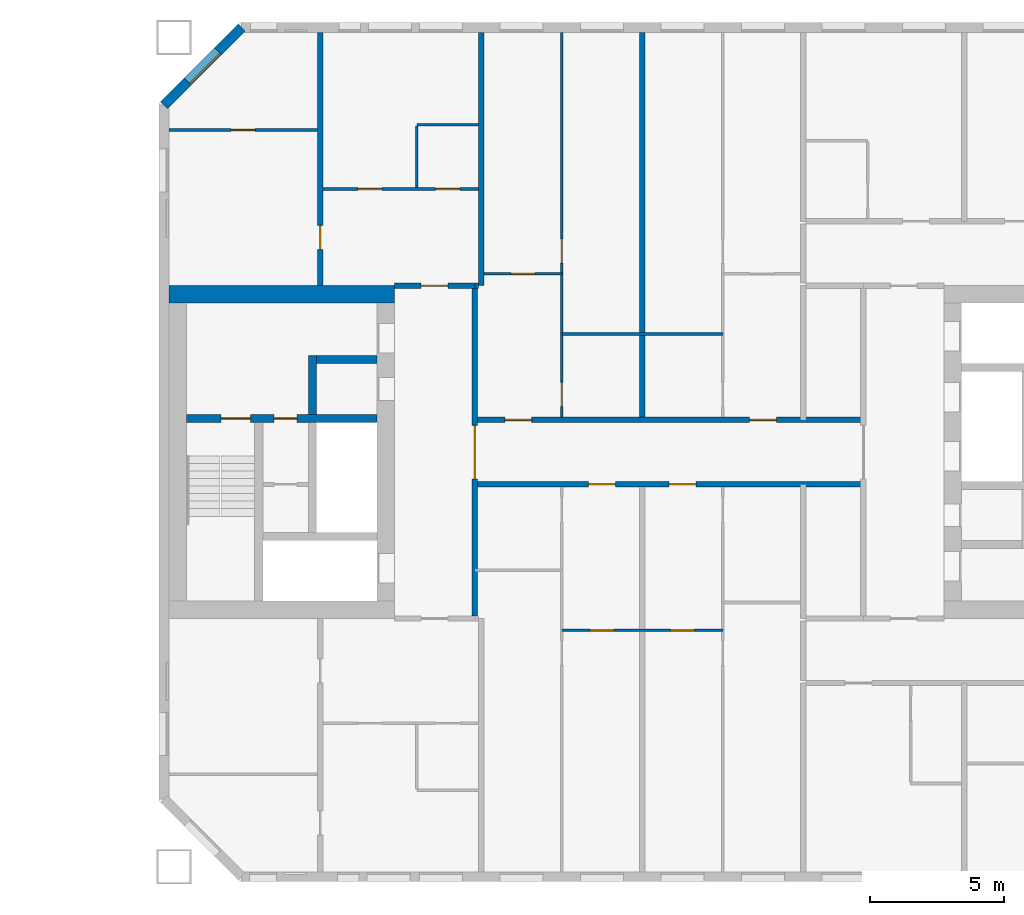
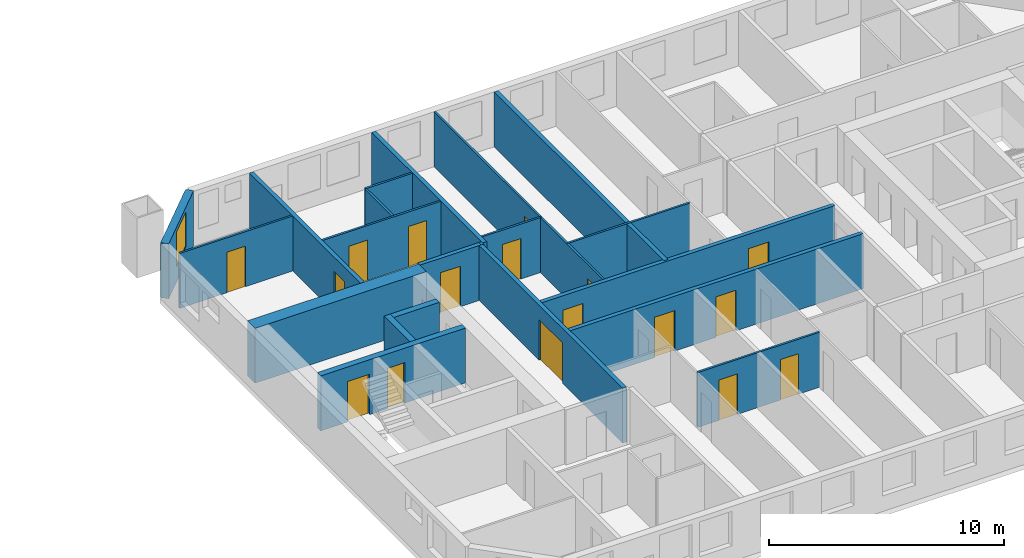
# One storey, part 11 of 17: 21 walls, 17 doors, 1 window, 18 openings.
"""IFC4 building model written with IfcOpenShell, lengths in metres."""

import ifcopenshell
import ifcopenshell.guid

model = None  # the IFC model being written
_history = None  # IfcOwnerHistory: only IFC2X3 demands one
_inside = {}  # id of a spatial element -> (the spatial element, [elements in it])
_under = {}  # id of a project, library or spatial element -> (it, [spatial elements below it])
_declared = {}  # id of a project -> (the project, [libraries it declares])
_typed = {}  # id of a type object -> (the type object, [elements of that type])
_made_of = {}  # id of a material, layer set ... -> (it, [elements and type objects made of it])


def new_model(schema):
    """Start an empty IFC model of exactly this schema.

    Asked for "IFC4X3", IfcOpenShell would pick the latest addendum, in which some entities
    have other attributes; the version numbers below select the first issue.
    IFC2X3 requires an IfcOwnerHistory on every rooted entity: one is made here for all.
    """
    global model, _history
    if schema == "IFC4X3":
        model = ifcopenshell.file(schema_version=(4, 3, 0, 0))
    else:
        model = ifcopenshell.file(schema=schema)
    _inside.clear()
    _under.clear()
    _declared.clear()
    _typed.clear()
    _made_of.clear()
    _history = None
    if model.schema == "IFC2X3":
        org = make("IfcOrganization", Name="unknown")
        user = make(
            "IfcPersonAndOrganization",
            ThePerson=make("IfcPerson", FamilyName="unknown"),
            TheOrganization=org,
        )
        app = make(
            "IfcApplication",
            ApplicationDeveloper=org,
            Version="unknown",
            ApplicationFullName="unknown",
            ApplicationIdentifier="unknown",
        )
        _history = make(
            "IfcOwnerHistory",
            OwningUser=user,
            OwningApplication=app,
            ChangeAction="ADDED",
            CreationDate=0,
        )
    return model


def make(cls, **values):
    """One entity of the class cls with the attributes given. An attribute that is None is left unset."""
    return model.create_entity(
        cls, **{name: value for name, value in values.items() if value is not None}
    )


def rooted(cls, **values):
    """An entity with a GlobalId (a new one), such as an element, a storey or a relation."""
    return make(cls, GlobalId=ifcopenshell.guid.new(), OwnerHistory=_history, **values)


def si_unit(unit_type, name, prefix=None):
    """IfcSIUnit, for example si_unit("LENGTHUNIT", "METRE", prefix="MILLI")."""
    return make("IfcSIUnit", UnitType=unit_type, Prefix=prefix, Name=name)


def assignment(units):
    """IfcUnitAssignment: the units of a project."""
    return None if units is None else make("IfcUnitAssignment", Units=units)


def point(xyz):
    """IfcCartesianPoint."""
    return None if xyz is None else make("IfcCartesianPoint", Coordinates=xyz)


def direction(xyz):
    """IfcDirection."""
    return None if xyz is None else make("IfcDirection", DirectionRatios=xyz)


def frame(location, z_axis=None, x_axis=None):
    """IfcAxis2Placement3D, a coordinate frame: its origin and axes. An axis left out is left unset."""
    return make(
        "IfcAxis2Placement3D",
        Location=point(location),
        Axis=direction(z_axis),
        RefDirection=direction(x_axis),
    )


def frame_2d(location, x_axis=None):
    """IfcAxis2Placement2D, a coordinate frame in the plane: its origin and x axis."""
    return make(
        "IfcAxis2Placement2D", Location=point(location), RefDirection=direction(x_axis)
    )


def origin():
    """The frame at (0, 0, 0) with its axes left unset."""
    return frame((0.0, 0.0, 0.0))


def place(relative_to, where):
    """IfcLocalPlacement: puts the frame where relative to a parent placement (None: the world)."""
    return make(
        "IfcLocalPlacement", PlacementRelTo=relative_to, RelativePlacement=where
    )


def context(
    kind, dimensions, precision=None, world=None, true_north=None, identifier=None
):
    """IfcGeometricRepresentationContext, for example the 3D "Model" context."""
    return make(
        "IfcGeometricRepresentationContext",
        ContextIdentifier=identifier,
        ContextType=kind,
        CoordinateSpaceDimension=dimensions,
        Precision=precision,
        WorldCoordinateSystem=world,
        TrueNorth=true_north,
    )


def subcontext(parent, identifier, kind, view, scale=None):
    """IfcGeometricRepresentationSubContext, for example "Body" below "Model"."""
    return make(
        "IfcGeometricRepresentationSubContext",
        ContextIdentifier=identifier,
        ContextType=kind,
        ParentContext=parent,
        TargetScale=scale,
        TargetView=view,
    )


def project(units=None, contexts=None):
    """IfcProject with its units and contexts."""
    return rooted(
        "IfcProject",
        Name="project",
        RepresentationContexts=contexts,
        UnitsInContext=assignment(units),
    )


def spatial(cls, under=None, at=None, **own):
    """A site, building, storey or space (cls), placed at a placement, below another one or the project."""
    s = rooted(cls, ObjectPlacement=at, **own)
    if under is not None:
        _under.setdefault(under.id(), (under, []))[1].append(s)
    return s


def profile(cls, at=None, kind="AREA", **sizes):
    """A parametric profile (cls). Its sizes go by their IFC names, for example OverallWidth=200.0."""
    return make(cls, ProfileType=kind, Position=at, **sizes)


def rectangle(**sizes):
    """IfcRectangleProfileDef."""
    return profile("IfcRectangleProfileDef", **sizes)


def extrude(swept, where, along, depth):
    """IfcExtrudedAreaSolid: the profile swept, set in the frame where, extruded along a direction by depth."""
    return make(
        "IfcExtrudedAreaSolid",
        SweptArea=swept,
        Position=where,
        ExtrudedDirection=direction(along),
        Depth=depth,
    )


def shape(context_of_items, identifier, shape_type, items):
    """IfcShapeRepresentation: the items that make up one representation, for example the "Body"."""
    return make(
        "IfcShapeRepresentation",
        ContextOfItems=context_of_items,
        RepresentationIdentifier=identifier,
        RepresentationType=shape_type,
        Items=items,
    )


def material(Name=None, Category=None):
    """IfcMaterial."""
    return make("IfcMaterial", Name=Name, Category=Category)


def layer(
    of_material, thickness, ventilated=None, Name=None, Category=None, Priority=None
):
    """IfcMaterialLayer: one layer of a wall or slab, of a material (None: an air gap)."""
    return make(
        "IfcMaterialLayer",
        Material=of_material,
        LayerThickness=thickness,
        IsVentilated=ventilated,
        Name=Name,
        Category=Category,
        Priority=Priority,
    )


def layer_set(layers, Name=None):
    """IfcMaterialLayerSet."""
    return make("IfcMaterialLayerSet", MaterialLayers=layers, LayerSetName=Name)


def made_of(thing, what):
    """Note that an element or type object is made of a material, layer set ...; save() writes the relation."""
    if what is not None:
        _made_of.setdefault(what.id(), (what, []))[1].append(thing)
    return thing


def type_object(cls, material=None, **own):
    """A type object (cls), such as IfcWallType, which elements share."""
    return made_of(rooted(cls, **own), material)


def element(
    cls,
    number,
    at=None,
    inside=None,
    cuts=None,
    type_object=None,
    material=None,
    context=None,
    identifier="Body",
    shape_type=None,
    held_by="IfcProductDefinitionShape",
    body=None,
    shapes=None,
    **own,
):
    """One element of the class cls, such as IfcWall. Its Tag is "e" and its number.

    at: its placement. inside: the storey or other place that contains it. cuts: it is an
    opening in that element (IfcRelVoidsElement). A single representation is given by context,
    identifier, shape_type and body (its items); several are given by shapes. held_by: the class
    of the entity that holds the representations. save() writes the other relations.
    """
    e = rooted(cls, Tag="e%d" % number, ObjectPlacement=at, **own)
    if body is not None:
        shapes = [shape(context, identifier, shape_type, body)]
    if shapes is not None:
        e.Representation = make(held_by, Representations=shapes)
    if inside is not None:
        _inside.setdefault(inside.id(), (inside, []))[1].append(e)
    if cuts is not None:
        rooted(
            "IfcRelVoidsElement", RelatingBuildingElement=cuts, RelatedOpeningElement=e
        )
    if type_object is not None:
        _typed.setdefault(type_object.id(), (type_object, []))[1].append(e)
    return made_of(e, material)


def fill(opening, filler):
    """IfcRelFillsElement: the door or window that sits in an opening."""
    return rooted(
        "IfcRelFillsElement",
        RelatingOpeningElement=opening,
        RelatedBuildingElement=filler,
    )


def aggregate(whole, parts):
    """IfcRelAggregates: a whole, such as a stair, and the parts it consists of."""
    return rooted("IfcRelAggregates", RelatingObject=whole, RelatedObjects=parts)


def save(model, path):
    """Write the relations noted so far, then the file.

    IfcRelAggregates (storeys below a building ...), IfcRelContainedInSpatialStructure (elements
    in a storey), IfcRelDefinesByType, IfcRelAssociatesMaterial and IfcRelDeclares: one each for
    every whole, place, type object, material and project.
    """
    for whole, parts in _under.values():
        aggregate(whole, parts)
    for where, things in _inside.values():
        rooted(
            "IfcRelContainedInSpatialStructure",
            RelatedElements=things,
            RelatingStructure=where,
        )
    for kind, things in _typed.values():
        rooted("IfcRelDefinesByType", RelatedObjects=things, RelatingType=kind)
    for what, things in _made_of.values():
        rooted("IfcRelAssociatesMaterial", RelatedObjects=things, RelatingMaterial=what)
    for by, libraries in _declared.values():
        rooted("IfcRelDeclares", RelatingContext=by, RelatedDefinitions=libraries)
    model.write(path)


model = new_model("IFC4")

# Units and contexts
model_context = context("Model", 3, precision=1e-05, world=origin(), true_north=direction((0.0, 1.0)))
body_context = subcontext(model_context, "Body", "Model", "MODEL_VIEW")
ifc_project = project(units=[si_unit("LENGTHUNIT", "METRE"), si_unit("AREAUNIT", "SQUARE_METRE"), si_unit("VOLUMEUNIT", "CUBIC_METRE"), si_unit("PLANEANGLEUNIT", "RADIAN"), si_unit("MASSUNIT", "GRAM", prefix="KILO")], contexts=[model_context])

# Site, building, storey
site_placement = place(None, origin())
site = spatial("IfcSite", under=ifc_project, at=site_placement, CompositionType="ELEMENT")
building_placement = place(site_placement, origin())
building = spatial("IfcBuilding", under=site, at=building_placement, Name="Tuart Gate Housing", CompositionType="ELEMENT")
storey_placement = place(building_placement, frame((0.0, 0.0, 99.5)))
storey = spatial("IfcBuildingStorey", under=building, at=storey_placement, Name="L27", CompositionType="ELEMENT", Elevation=99.5)

# Wall, opening, window
ifc_material_1 = material(Name="Brick", Category="masonry")
ifc_layer_1 = layer(ifc_material_1, 0.360107421875)
ifc_layer_set_1 = layer_set([ifc_layer_1], Name="Brick pier and spandrel wall 360")
wall_type_1 = type_object("IfcWallType", Name="Brick pier and spandrel wall 360", PredefinedType="STANDARD", material=ifc_layer_set_1)
wall_1_placement = place(storey_placement, frame((134.07470703125, 85.820068359375, 0.0), z_axis=(0.0, 0.0, 1.0), x_axis=(-0.707106781187, -0.707106781187, 0.0)))
wall_1 = element("IfcWall", 1, at=wall_1_placement, inside=storey, type_object=wall_type_1, Name="External wall B-NW L27", PredefinedType="STANDARD", context=body_context, shape_type="SweptSolid", body=[
    extrude(rectangle(XDim=4.09375, YDim=0.360107421875, at=frame_2d((2.046875, 0.0))), origin(), (0.0, 0.0, 1.0), 2.85009765625),
])
opening_1_placement = place(wall_1_placement, frame((1.2470703125, 0.0, 0.800048828125)))
opening_1 = element("IfcOpeningElement", 2, at=opening_1_placement, cuts=wall_1, Name="Opening W1", PredefinedType="OPENING", context=body_context, shape_type="SweptSolid", body=[
    extrude(rectangle(XDim=1.60009765625, YDim=1.800048828125, at=frame_2d((0.800048828125, 0.89990234375))), frame((0.0, 0.18994140625, 0.0), z_axis=(0.0, -1.0, 0.0), x_axis=(1.0, 0.0, 0.0)), (0.0, 0.0, 1.0), 0.380126953125),
])
ifc_material_2 = material(Name="Aluminium frame with clear glass", Category="aluminium")
window_type = type_object("IfcWindowType", Name="Punched window 1600 x 1800", PartitioningType="SINGLE_PANEL", PredefinedType="WINDOW", material=ifc_material_2)
window_placement = place(opening_1_placement, origin())
window = element("IfcWindow", 3, at=window_placement, inside=storey, type_object=window_type, Name="Window W1", OverallHeight=1.800048828125, OverallWidth=1.60009765625, PartitioningType="SINGLE_PANEL", PredefinedType="WINDOW", context=body_context, shape_type="SweptSolid", body=[
    extrude(rectangle(XDim=1.60009765625, YDim=1.800048828125, at=frame_2d((0.800048828125, 0.89990234375))), frame((0.0, 0.150146484375, 0.0), z_axis=(0.0, -1.0, 0.0), x_axis=(1.0, 0.0, 0.0)), (0.0, 0.0, 1.0), 0.06005859375),
])
fill(opening_1, window)

# Wall, openings, doors
ifc_material_3 = material(Name="Concrete C50", Category="concrete")
ifc_layer_2 = layer(ifc_material_3, 0.300048828125)
ifc_layer_set_2 = layer_set([ifc_layer_2], Name="Core wall 300 C50")
wall_type_2 = type_object("IfcWallType", Name="Core wall 300 C50", PredefinedType="SHEAR", material=ifc_layer_set_2)
wall_2_placement = place(storey_placement, frame((139.110107421875, 71.25, 0.0), z_axis=(0.0, 0.0, 1.0), x_axis=(-1.0, 0.0, 0.0)))
wall_2 = element("IfcWall", 4, at=wall_2_placement, inside=storey, type_object=wall_type_2, Name="Core wall BG.3", PredefinedType="SHEAR", context=body_context, shape_type="SweptSolid", body=[
    extrude(rectangle(XDim=7.10009765625, YDim=0.300048828125, at=frame_2d((3.550048828125, 0.0))), origin(), (0.0, 0.0, 1.0), 2.85009765625),
])
opening_2_placement = place(wall_2_placement, frame((4.699951171875, 0.0, 0.0)))
opening_2 = element("IfcOpeningElement", 5, at=opening_2_placement, cuts=wall_2, Name="Opening D1144", PredefinedType="OPENING", context=body_context, shape_type="SweptSolid", body=[
    extrude(rectangle(XDim=1.10009765625, YDim=2.10009765625, at=frame_2d((0.550048828125, 1.050048828125))), frame((0.0, 0.159912109375, 0.0), z_axis=(0.0, -1.0, 0.0), x_axis=(1.0, 0.0, 0.0)), (0.0, 0.0, 1.0), 0.320068359375),
])
opening_3_placement = place(wall_2_placement, frame((2.97509765625, 0.0, 0.0)))
opening_3 = element("IfcOpeningElement", 6, at=opening_3_placement, cuts=wall_2, Name="Opening D1143", PredefinedType="OPENING", context=body_context, shape_type="SweptSolid", body=[
    extrude(rectangle(XDim=0.85009765625, YDim=2.10009765625, at=frame_2d((0.425048828125, 1.050048828125))), frame((0.0, 0.159912109375, 0.0), z_axis=(0.0, -1.0, 0.0), x_axis=(1.0, 0.0, 0.0)), (0.0, 0.0, 1.0), 0.320068359375),
])
ifc_material_4 = material(Name="Steel fire door", Category="steel")
door_type_1 = type_object("IfcDoorType", Name="Riser door 850 x 2100", OperationType="SINGLE_SWING_LEFT", PredefinedType="DOOR", material=ifc_material_4)
door_1_placement = place(opening_3_placement, origin())
door_1 = element("IfcDoor", 7, at=door_1_placement, inside=storey, type_object=door_type_1, Name="Service room door BG.W1", OperationType="SINGLE_SWING_LEFT", OverallHeight=2.10009765625, OverallWidth=0.85009765625, PredefinedType="DOOR", context=body_context, shape_type="SweptSolid", body=[
    extrude(rectangle(XDim=0.85009765625, YDim=2.10009765625, at=frame_2d((0.425048828125, 1.050048828125))), frame((0.0, 0.02490234375, 0.0), z_axis=(0.0, -1.0, 0.0), x_axis=(1.0, 0.0, 0.0)), (0.0, 0.0, 1.0), 0.050048828125),
])
fill(opening_3, door_1)
ifc_material_5 = material(Name="Steel fire door", Category="steel")
door_type_2 = type_object("IfcDoorType", Name="Stair door 1100 x 2100", OperationType="SINGLE_SWING_LEFT", PredefinedType="DOOR", material=ifc_material_5)
door_2_placement = place(opening_2_placement, origin())
door_2 = element("IfcDoor", 8, at=door_2_placement, inside=storey, type_object=door_type_2, Name="Stair door BG.SD", OperationType="SINGLE_SWING_LEFT", OverallHeight=2.10009765625, OverallWidth=1.10009765625, PredefinedType="DOOR", context=body_context, shape_type="SweptSolid", body=[
    extrude(rectangle(XDim=1.10009765625, YDim=2.10009765625, at=frame_2d((0.550048828125, 1.050048828125))), frame((0.0, 0.02490234375, 0.0), z_axis=(0.0, -1.0, 0.0), x_axis=(1.0, 0.0, 0.0)), (0.0, 0.0, 1.0), 0.050048828125),
])
fill(opening_2, door_2)

# Walls
wall_3_placement = place(storey_placement, frame((139.110107421875, 73.449951171875, 0.0), z_axis=(0.0, 0.0, 1.0), x_axis=(-1.0, 0.0, 0.0)))
element("IfcWall", 9, at=wall_3_placement, inside=storey, type_object=wall_type_2, Name="Core wall BG.4", PredefinedType="SHEAR", context=body_context, shape_type="SweptSolid", body=[
    extrude(rectangle(XDim=2.25, YDim=0.300048828125, at=frame_2d((1.125, 0.0))), origin(), (0.0, 0.0, 1.0), 2.85009765625),
])
wall_4_placement = place(storey_placement, frame((136.7099609375, 71.39990234375, 0.0), z_axis=(0.0, 0.0, 1.0), x_axis=(0.0, 1.0, 0.0)))
element("IfcWall", 10, at=wall_4_placement, inside=storey, type_object=wall_type_2, Name="Core wall BG.6", PredefinedType="SHEAR", context=body_context, shape_type="SweptSolid", body=[
    extrude(rectangle(XDim=2.2001953125, YDim=0.300048828125, at=frame_2d((1.10009765625, 0.0))), origin(), (0.0, 0.0, 1.0), 2.85009765625),
])
ifc_material_6 = material(Name="Concrete C50", Category="concrete")
ifc_layer_3 = layer(ifc_material_6, 0.64990234375)
ifc_layer_set_3 = layer_set([ifc_layer_3], Name="Core wall 650 C50")
wall_type_3 = type_object("IfcWallType", Name="Core wall 650 C50", PredefinedType="SHEAR", material=ifc_layer_set_3)
wall_5_placement = place(storey_placement, frame((139.760009765625, 75.875, 0.0), z_axis=(0.0, 0.0, 1.0), x_axis=(-1.0, 0.0, 0.0)))
element("IfcWall", 11, at=wall_5_placement, inside=storey, type_object=wall_type_3, Name="Core wall BG north", PredefinedType="SHEAR", context=body_context, shape_type="SweptSolid", body=[
    extrude(rectangle(XDim=8.39990234375, YDim=0.64990234375, at=frame_2d((4.199951171875, 0.0))), origin(), (0.0, 0.0, 1.0), 2.85009765625),
])

# Wall, openings, doors
ifc_material_7 = material(Name="Concrete masonry 15 MPa", Category="masonry")
ifc_layer_4 = layer(ifc_material_7, 0.199951171875)
ifc_layer_set_4 = layer_set([ifc_layer_4], Name="Corridor wall masonry 200")
wall_type_4 = type_object("IfcWallType", Name="Corridor wall masonry 200", PredefinedType="PARTITIONING", material=ifc_layer_set_4)
wall_6_placement = place(storey_placement, frame((142.760009765625, 68.800048828125, 0.0), z_axis=(0.0, 0.0, 1.0), x_axis=(1.0, 0.0, 0.0)))
wall_6 = element("IfcWall", 12, at=wall_6_placement, inside=storey, type_object=wall_type_4, Name="Corridor wall masonry 200", PredefinedType="PARTITIONING", context=body_context, shape_type="SweptSolid", body=[
    extrude(rectangle(XDim=14.47998046875, YDim=0.199951171875, at=frame_2d((7.239990234375, 0.0))), origin(), (0.0, 0.0, 1.0), 2.85009765625),
])
opening_4_placement = place(wall_6_placement, frame((4.239990234375, 0.0, 0.0)))
opening_4 = element("IfcOpeningElement", 13, at=opening_4_placement, cuts=wall_6, Name="Opening D1156", PredefinedType="OPENING", context=body_context, shape_type="SweptSolid", body=[
    extrude(rectangle(XDim=1.0, YDim=2.10009765625, at=frame_2d((0.5, 1.050048828125))), frame((0.0, 0.10986328125, 0.0), z_axis=(0.0, -1.0, 0.0), x_axis=(1.0, 0.0, 0.0)), (0.0, 0.0, 1.0), 0.219970703125),
])
opening_5_placement = place(wall_6_placement, frame((7.239990234375, 0.0, 0.0)))
opening_5 = element("IfcOpeningElement", 14, at=opening_5_placement, cuts=wall_6, Name="Opening D1157", PredefinedType="OPENING", context=body_context, shape_type="SweptSolid", body=[
    extrude(rectangle(XDim=1.0, YDim=2.10009765625, at=frame_2d((0.5, 1.050048828125))), frame((0.0, 0.10986328125, 0.0), z_axis=(0.0, -1.0, 0.0), x_axis=(1.0, 0.0, 0.0)), (0.0, 0.0, 1.0), 0.219970703125),
])
ifc_material_8 = material(Name="Timber door leaf in steel frame", Category="steel")
door_type_3 = type_object("IfcDoorType", Name="Flat entrance door 1000 RH", OperationType="SINGLE_SWING_RIGHT", PredefinedType="DOOR", material=ifc_material_8)
door_3_placement = place(opening_4_placement, frame((1.0, 0.0, 0.0), z_axis=(0.0, 0.0, 1.0), x_axis=(-1.0, 0.0, 0.0)))
door_3 = element("IfcDoor", 15, at=door_3_placement, inside=storey, type_object=door_type_3, Name="Flat entrance door", OperationType="SINGLE_SWING_RIGHT", OverallHeight=2.10009765625, OverallWidth=1.0, PredefinedType="DOOR", context=body_context, shape_type="SweptSolid", body=[
    extrude(rectangle(XDim=1.0, YDim=2.10009765625, at=frame_2d((0.5, 1.050048828125))), frame((0.0, 0.025146484375, 0.0), z_axis=(0.0, -1.0, 0.0), x_axis=(1.0, 0.0, 0.0)), (0.0, 0.0, 1.0), 0.050048828125),
])
fill(opening_4, door_3)
door_4_placement = place(opening_5_placement, frame((1.0, 0.0, 0.0), z_axis=(0.0, 0.0, 1.0), x_axis=(-1.0, 0.0, 0.0)))
door_4 = element("IfcDoor", 16, at=door_4_placement, inside=storey, type_object=door_type_3, Name="Flat entrance door", OperationType="SINGLE_SWING_RIGHT", OverallHeight=2.10009765625, OverallWidth=1.0, PredefinedType="DOOR", context=body_context, shape_type="SweptSolid", body=[
    extrude(rectangle(XDim=1.0, YDim=2.10009765625, at=frame_2d((0.5, 1.050048828125))), frame((0.0, 0.025146484375, 0.0), z_axis=(0.0, -1.0, 0.0), x_axis=(1.0, 0.0, 0.0)), (0.0, 0.0, 1.0), 0.050048828125),
])
fill(opening_5, door_4)

wall_7_placement = place(storey_placement, frame((142.760009765625, 71.199951171875, 0.0), z_axis=(0.0, 0.0, 1.0), x_axis=(1.0, 0.0, 0.0)))
wall_7 = element("IfcWall", 17, at=wall_7_placement, inside=storey, type_object=wall_type_4, Name="Corridor wall masonry 200", PredefinedType="PARTITIONING", context=body_context, shape_type="SweptSolid", body=[
    extrude(rectangle(XDim=14.47998046875, YDim=0.199951171875, at=frame_2d((7.239990234375, 0.0))), origin(), (0.0, 0.0, 1.0), 2.85009765625),
])
opening_6_placement = place(wall_7_placement, frame((1.1201171875, 0.0, 0.0)))
opening_6 = element("IfcOpeningElement", 18, at=opening_6_placement, cuts=wall_7, Name="Opening D1145", PredefinedType="OPENING", context=body_context, shape_type="SweptSolid", body=[
    extrude(rectangle(XDim=1.0, YDim=2.10009765625, at=frame_2d((0.5, 1.050048828125))), frame((0.0, 0.10986328125, 0.0), z_axis=(0.0, -1.0, 0.0), x_axis=(1.0, 0.0, 0.0)), (0.0, 0.0, 1.0), 0.219970703125),
])
opening_7_placement = place(wall_7_placement, frame((10.239990234375, 0.0, 0.0)))
opening_7 = element("IfcOpeningElement", 19, at=opening_7_placement, cuts=wall_7, Name="Opening D1146", PredefinedType="OPENING", context=body_context, shape_type="SweptSolid", body=[
    extrude(rectangle(XDim=1.0, YDim=2.10009765625, at=frame_2d((0.5, 1.050048828125))), frame((0.0, 0.10986328125, 0.0), z_axis=(0.0, -1.0, 0.0), x_axis=(1.0, 0.0, 0.0)), (0.0, 0.0, 1.0), 0.219970703125),
])
ifc_material_9 = material(Name="Timber door leaf in steel frame", Category="steel")
door_type_4 = type_object("IfcDoorType", Name="Flat entrance door 1000", OperationType="SINGLE_SWING_LEFT", PredefinedType="DOOR", material=ifc_material_9)
door_5_placement = place(opening_6_placement, origin())
door_5 = element("IfcDoor", 20, at=door_5_placement, inside=storey, type_object=door_type_4, Name="Flat entrance door", OperationType="SINGLE_SWING_LEFT", OverallHeight=2.10009765625, OverallWidth=1.0, PredefinedType="DOOR", context=body_context, shape_type="SweptSolid", body=[
    extrude(rectangle(XDim=1.0, YDim=2.10009765625, at=frame_2d((0.5, 1.050048828125))), frame((0.0, 0.02490234375, 0.0), z_axis=(0.0, -1.0, 0.0), x_axis=(1.0, 0.0, 0.0)), (0.0, 0.0, 1.0), 0.050048828125),
])
fill(opening_6, door_5)
door_6_placement = place(opening_7_placement, origin())
door_6 = element("IfcDoor", 21, at=door_6_placement, inside=storey, type_object=door_type_4, Name="Flat entrance door", OperationType="SINGLE_SWING_LEFT", OverallHeight=2.10009765625, OverallWidth=1.0, PredefinedType="DOOR", context=body_context, shape_type="SweptSolid", body=[
    extrude(rectangle(XDim=1.0, YDim=2.10009765625, at=frame_2d((0.5, 1.050048828125))), frame((0.0, 0.02490234375, 0.0), z_axis=(0.0, -1.0, 0.0), x_axis=(1.0, 0.0, 0.0)), (0.0, 0.0, 1.0), 0.050048828125),
])
fill(opening_7, door_6)

# Wall, opening, door
ifc_material_10 = material(Name="Concrete masonry 15 MPa", Category="masonry")
ifc_layer_5 = layer(ifc_material_10, 0.199951171875)
ifc_layer_set_5 = layer_set([ifc_layer_5], Name="Enclosure wall masonry 200")
wall_type_5 = type_object("IfcWallType", Name="Enclosure wall masonry 200", PredefinedType="PARTITIONING", material=ifc_layer_set_5)
wall_8_placement = place(storey_placement, frame((139.760009765625, 76.199951171875, 0.0), z_axis=(0.0, 0.0, 1.0), x_axis=(1.0, 0.0, 0.0)))
wall_8 = element("IfcWall", 22, at=wall_8_placement, inside=storey, type_object=wall_type_5, Name="Enclosure wall masonry 200", PredefinedType="PARTITIONING", context=body_context, shape_type="SweptSolid", body=[
    extrude(rectangle(XDim=3.0, YDim=0.199951171875, at=frame_2d((1.5, 0.0))), origin(), (0.0, 0.0, 1.0), 2.85009765625),
])
opening_8_placement = place(wall_8_placement, frame((1.0, 0.0, 0.0)))
opening_8 = element("IfcOpeningElement", 23, at=opening_8_placement, cuts=wall_8, Name="Opening D1141", PredefinedType="OPENING", context=body_context, shape_type="SweptSolid", body=[
    extrude(rectangle(XDim=1.0, YDim=2.10009765625, at=frame_2d((0.5, 1.050048828125))), frame((0.0, 0.10986328125, 0.0), z_axis=(0.0, -1.0, 0.0), x_axis=(1.0, 0.0, 0.0)), (0.0, 0.0, 1.0), 0.219970703125),
])
door_7_placement = place(opening_8_placement, origin())
door_7 = element("IfcDoor", 24, at=door_7_placement, inside=storey, type_object=door_type_3, Name="Flat entrance door", OperationType="SINGLE_SWING_RIGHT", OverallHeight=2.10009765625, OverallWidth=1.0, PredefinedType="DOOR", context=body_context, shape_type="SweptSolid", body=[
    extrude(rectangle(XDim=1.0, YDim=2.10009765625, at=frame_2d((0.5, 1.050048828125))), frame((0.0, 0.02490234375, 0.0), z_axis=(0.0, -1.0, 0.0), x_axis=(1.0, 0.0, 0.0)), (0.0, 0.0, 1.0), 0.050048828125),
])
fill(opening_8, door_7)

ifc_material_11 = material(Name="Plasterboard partition")
ifc_layer_6 = layer(ifc_material_11, 0.199951171875)
ifc_layer_set_6 = layer_set([ifc_layer_6], Name="Lobby wall 200")
wall_type_6 = type_object("IfcWallType", Name="Lobby wall 200", PredefinedType="PARTITIONING", material=ifc_layer_set_6)
wall_9_placement = place(storey_placement, frame((142.760009765625, 63.89990234375, 0.0), z_axis=(0.0, 0.0, 1.0), x_axis=(0.0, 1.0, 0.0)))
wall_9 = element("IfcWall", 25, at=wall_9_placement, inside=storey, type_object=wall_type_6, Name="Lift lobby wall BG", PredefinedType="PARTITIONING", context=body_context, shape_type="SweptSolid", body=[
    extrude(rectangle(XDim=12.2001953125, YDim=0.199951171875, at=frame_2d((6.10009765625, 0.0))), origin(), (0.0, 0.0, 1.0), 2.85009765625),
])
opening_9_placement = place(wall_9_placement, frame((5.10009765625, 0.0, 0.0)))
opening_9 = element("IfcOpeningElement", 26, at=opening_9_placement, cuts=wall_9, Name="Opening D1149", PredefinedType="OPENING", context=body_context, shape_type="SweptSolid", body=[
    extrude(rectangle(XDim=2.0, YDim=2.10009765625, at=frame_2d((1.0, 1.050048828125))), frame((0.0, 0.10986328125, 0.0), z_axis=(0.0, -1.0, 0.0), x_axis=(1.0, 0.0, 0.0)), (0.0, 0.0, 1.0), 0.219970703125),
])
ifc_material_12 = material(Name="Steel fire door", Category="steel")
door_type_5 = type_object("IfcDoorType", Name="Smoke door 2000 x 2100", OperationType="DOUBLE_DOOR_SINGLE_SWING", PredefinedType="DOOR", material=ifc_material_12)
door_8_placement = place(opening_9_placement, origin())
door_8 = element("IfcDoor", 27, at=door_8_placement, inside=storey, type_object=door_type_5, Name="Lift lobby smoke door BG", OperationType="DOUBLE_DOOR_SINGLE_SWING", OverallHeight=2.10009765625, OverallWidth=2.0, PredefinedType="DOOR", context=body_context, shape_type="SweptSolid", body=[
    extrude(rectangle(XDim=2.0, YDim=2.10009765625, at=frame_2d((1.0, 1.050048828125))), frame((0.0, 0.02490234375, 0.0), z_axis=(0.0, -1.0, 0.0), x_axis=(1.0, 0.0, 0.0)), (0.0, 0.0, 1.0), 0.050048828125),
])
fill(opening_9, door_8)

# Wall, openings, doors
ifc_material_13 = material(Name="Gypsum board on steel studs", Category="steel")
ifc_layer_7 = layer(ifc_material_13, 0.10009765625)
ifc_layer_set_7 = layer_set([ifc_layer_7], Name="Partition 100")
wall_type_7 = type_object("IfcWallType", Name="Partition 100", PredefinedType="PARTITIONING", material=ifc_layer_set_7)
wall_10_placement = place(storey_placement, frame((146.0, 63.360107421875, 0.0), z_axis=(0.0, 0.0, 1.0), x_axis=(1.0, 0.0, 0.0)))
wall_10 = element("IfcWall", 28, at=wall_10_placement, inside=storey, type_object=wall_type_7, Name="Partition 100", PredefinedType="PARTITIONING", context=body_context, shape_type="SweptSolid", body=[
    extrude(rectangle(XDim=6.0, YDim=0.10009765625, at=frame_2d((3.0, 0.0))), origin(), (0.0, 0.0, 1.0), 2.85009765625),
])
opening_10_placement = place(wall_10_placement, frame((1.050048828125, 0.0, 0.0)))
opening_10 = element("IfcOpeningElement", 29, at=opening_10_placement, cuts=wall_10, Name="Opening D1162", PredefinedType="OPENING", context=body_context, shape_type="SweptSolid", body=[
    extrude(rectangle(XDim=0.89990234375, YDim=2.10009765625, at=frame_2d((0.449951171875, 1.050048828125))), frame((0.0, 0.06005859375, 0.0), z_axis=(0.0, -1.0, 0.0), x_axis=(1.0, 0.0, 0.0)), (0.0, 0.0, 1.0), 0.1201171875),
])
opening_11_placement = place(wall_10_placement, frame((4.050048828125, 0.0, 0.0)))
opening_11 = element("IfcOpeningElement", 30, at=opening_11_placement, cuts=wall_10, Name="Opening D1163", PredefinedType="OPENING", context=body_context, shape_type="SweptSolid", body=[
    extrude(rectangle(XDim=0.89990234375, YDim=2.10009765625, at=frame_2d((0.449951171875, 1.050048828125))), frame((0.0, 0.06005859375, 0.0), z_axis=(0.0, -1.0, 0.0), x_axis=(1.0, 0.0, 0.0)), (0.0, 0.0, 1.0), 0.1201171875),
])
ifc_material_14 = material(Name="Timber door leaf in steel frame", Category="steel")
door_type_6 = type_object("IfcDoorType", Name="Internal door 900", OperationType="SINGLE_SWING_LEFT", PredefinedType="DOOR", material=ifc_material_14)
door_9_placement = place(opening_10_placement, origin())
door_9 = element("IfcDoor", 31, at=door_9_placement, inside=storey, type_object=door_type_6, Name="Internal door", OperationType="SINGLE_SWING_LEFT", OverallHeight=2.10009765625, OverallWidth=0.89990234375, PredefinedType="DOOR", context=body_context, shape_type="SweptSolid", body=[
    extrude(rectangle(XDim=0.89990234375, YDim=2.10009765625, at=frame_2d((0.449951171875, 1.050048828125))), frame((0.0, 0.02490234375, 0.0), z_axis=(0.0, -1.0, 0.0), x_axis=(1.0, 0.0, 0.0)), (0.0, 0.0, 1.0), 0.050048828125),
])
fill(opening_10, door_9)
door_10_placement = place(opening_11_placement, origin())
door_10 = element("IfcDoor", 32, at=door_10_placement, inside=storey, type_object=door_type_6, Name="Internal door", OperationType="SINGLE_SWING_LEFT", OverallHeight=2.10009765625, OverallWidth=0.89990234375, PredefinedType="DOOR", context=body_context, shape_type="SweptSolid", body=[
    extrude(rectangle(XDim=0.89990234375, YDim=2.10009765625, at=frame_2d((0.449951171875, 1.050048828125))), frame((0.0, 0.02490234375, 0.0), z_axis=(0.0, -1.0, 0.0), x_axis=(1.0, 0.0, 0.0)), (0.0, 0.0, 1.0), 0.050048828125),
])
fill(opening_11, door_10)

# Wall
wall_11_placement = place(storey_placement, frame((146.0, 74.39990234375, 0.0), z_axis=(0.0, 0.0, 1.0), x_axis=(1.0, 0.0, 0.0)))
element("IfcWall", 33, at=wall_11_placement, inside=storey, type_object=wall_type_7, Name="Partition 100", PredefinedType="PARTITIONING", context=body_context, shape_type="SweptSolid", body=[
    extrude(rectangle(XDim=6.0, YDim=0.10009765625, at=frame_2d((3.0, 0.0))), origin(), (0.0, 0.0, 1.0), 2.85009765625),
])

# Wall, opening, door
wall_12_placement = place(storey_placement, frame((143.10009765625, 76.639892578125, 0.0), z_axis=(0.0, 0.0, 1.0), x_axis=(1.0, 0.0, 0.0)))
wall_12 = element("IfcWall", 34, at=wall_12_placement, inside=storey, type_object=wall_type_7, Name="Partition 100", PredefinedType="PARTITIONING", context=body_context, shape_type="SweptSolid", body=[
    extrude(rectangle(XDim=2.89990234375, YDim=0.10009765625, at=frame_2d((1.449951171875, 0.0))), origin(), (0.0, 0.0, 1.0), 2.85009765625),
])
opening_12_placement = place(wall_12_placement, frame((1.0, 0.0, 0.0)))
opening_12 = element("IfcOpeningElement", 35, at=opening_12_placement, cuts=wall_12, Name="Opening D1139", PredefinedType="OPENING", context=body_context, shape_type="SweptSolid", body=[
    extrude(rectangle(XDim=0.89990234375, YDim=2.10009765625, at=frame_2d((0.449951171875, 1.050048828125))), frame((0.0, 0.06005859375, 0.0), z_axis=(0.0, -1.0, 0.0), x_axis=(1.0, 0.0, 0.0)), (0.0, 0.0, 1.0), 0.1201171875),
])
door_11_placement = place(opening_12_placement, frame((0.89990234375, 0.0, 0.0), z_axis=(0.0, 0.0, 1.0), x_axis=(-1.0, 0.0, 0.0)))
door_11 = element("IfcDoor", 36, at=door_11_placement, inside=storey, type_object=door_type_6, Name="Internal door", OperationType="SINGLE_SWING_LEFT", OverallHeight=2.10009765625, OverallWidth=0.89990234375, PredefinedType="DOOR", context=body_context, shape_type="SweptSolid", body=[
    extrude(rectangle(XDim=0.89990234375, YDim=2.10009765625, at=frame_2d((0.449951171875, 1.050048828125))), frame((0.0, 0.025146484375, 0.0), z_axis=(0.0, -1.0, 0.0), x_axis=(1.0, 0.0, 0.0)), (0.0, 0.0, 1.0), 0.050048828125),
])
fill(opening_12, door_11)

# Wall, openings, doors
wall_13_placement = place(storey_placement, frame((137.10009765625, 79.800048828125, 0.0), z_axis=(0.0, 0.0, 1.0), x_axis=(1.0, 0.0, 0.0)))
wall_13 = element("IfcWall", 37, at=wall_13_placement, inside=storey, type_object=wall_type_7, Name="Partition 100", PredefinedType="PARTITIONING", context=body_context, shape_type="SweptSolid", body=[
    extrude(rectangle(XDim=5.7998046875, YDim=0.10009765625, at=frame_2d((2.89990234375, 0.0))), origin(), (0.0, 0.0, 1.0), 2.85009765625),
])
opening_13_placement = place(wall_13_placement, frame((1.300048828125, 0.0, 0.0)))
opening_13 = element("IfcOpeningElement", 38, at=opening_13_placement, cuts=wall_13, Name="Opening D1131", PredefinedType="OPENING", context=body_context, shape_type="SweptSolid", body=[
    extrude(rectangle(XDim=0.89990234375, YDim=2.10009765625, at=frame_2d((0.449951171875, 1.050048828125))), frame((0.0, 0.06005859375, 0.0), z_axis=(0.0, -1.0, 0.0), x_axis=(1.0, 0.0, 0.0)), (0.0, 0.0, 1.0), 0.1201171875),
])
opening_14_placement = place(wall_13_placement, frame((4.199951171875, 0.0, 0.0)))
opening_14 = element("IfcOpeningElement", 39, at=opening_14_placement, cuts=wall_13, Name="Opening D1130", PredefinedType="OPENING", context=body_context, shape_type="SweptSolid", body=[
    extrude(rectangle(XDim=0.89990234375, YDim=2.10009765625, at=frame_2d((0.449951171875, 1.050048828125))), frame((0.0, 0.06005859375, 0.0), z_axis=(0.0, -1.0, 0.0), x_axis=(1.0, 0.0, 0.0)), (0.0, 0.0, 1.0), 0.1201171875),
])
ifc_material_15 = material(Name="Timber door leaf in steel frame", Category="steel")
door_type_7 = type_object("IfcDoorType", Name="Bathroom door 900", OperationType="SINGLE_SWING_LEFT", PredefinedType="DOOR", material=ifc_material_15)
door_12_placement = place(opening_14_placement, origin())
door_12 = element("IfcDoor", 40, at=door_12_placement, inside=storey, type_object=door_type_7, Name="Bathroom door", OperationType="SINGLE_SWING_LEFT", OverallHeight=2.10009765625, OverallWidth=0.89990234375, PredefinedType="DOOR", context=body_context, shape_type="SweptSolid", body=[
    extrude(rectangle(XDim=0.89990234375, YDim=2.10009765625, at=frame_2d((0.449951171875, 1.050048828125))), frame((0.0, 0.02490234375, 0.0), z_axis=(0.0, -1.0, 0.0), x_axis=(1.0, 0.0, 0.0)), (0.0, 0.0, 1.0), 0.050048828125),
])
fill(opening_14, door_12)
ifc_material_16 = material(Name="Timber door leaf in steel frame", Category="steel")
door_type_8 = type_object("IfcDoorType", Name="Internal door 900 RH", OperationType="SINGLE_SWING_RIGHT", PredefinedType="DOOR", material=ifc_material_16)
door_13_placement = place(opening_13_placement, origin())
door_13 = element("IfcDoor", 41, at=door_13_placement, inside=storey, type_object=door_type_8, Name="Internal door", OperationType="SINGLE_SWING_RIGHT", OverallHeight=2.10009765625, OverallWidth=0.89990234375, PredefinedType="DOOR", context=body_context, shape_type="SweptSolid", body=[
    extrude(rectangle(XDim=0.89990234375, YDim=2.10009765625, at=frame_2d((0.449951171875, 1.050048828125))), frame((0.0, 0.02490234375, 0.0), z_axis=(0.0, -1.0, 0.0), x_axis=(1.0, 0.0, 0.0)), (0.0, 0.0, 1.0), 0.050048828125),
])
fill(opening_13, door_13)

# Wall, opening, door
wall_14_placement = place(storey_placement, frame((131.360107421875, 82.0, 0.0), z_axis=(0.0, 0.0, 1.0), x_axis=(1.0, 0.0, 0.0)))
wall_14 = element("IfcWall", 42, at=wall_14_placement, inside=storey, type_object=wall_type_7, Name="Partition 100", PredefinedType="PARTITIONING", context=body_context, shape_type="SweptSolid", body=[
    extrude(rectangle(XDim=5.539794921875, YDim=0.10009765625, at=frame_2d((2.77001953125, 0.0))), origin(), (0.0, 0.0, 1.0), 2.85009765625),
])
opening_15_placement = place(wall_14_placement, frame((2.320068359375, 0.0, 0.0)))
opening_15 = element("IfcOpeningElement", 43, at=opening_15_placement, cuts=wall_14, Name="Opening D1125", PredefinedType="OPENING", context=body_context, shape_type="SweptSolid", body=[
    extrude(rectangle(XDim=0.89990234375, YDim=2.10009765625, at=frame_2d((0.449951171875, 1.050048828125))), frame((0.0, 0.06005859375, 0.0), z_axis=(0.0, -1.0, 0.0), x_axis=(1.0, 0.0, 0.0)), (0.0, 0.0, 1.0), 0.1201171875),
])
door_14_placement = place(opening_15_placement, origin())
door_14 = element("IfcDoor", 44, at=door_14_placement, inside=storey, type_object=door_type_6, Name="Internal door", OperationType="SINGLE_SWING_LEFT", OverallHeight=2.10009765625, OverallWidth=0.89990234375, PredefinedType="DOOR", context=body_context, shape_type="SweptSolid", body=[
    extrude(rectangle(XDim=0.89990234375, YDim=2.10009765625, at=frame_2d((0.449951171875, 1.050048828125))), frame((0.0, 0.02490234375, 0.0), z_axis=(0.0, -1.0, 0.0), x_axis=(1.0, 0.0, 0.0)), (0.0, 0.0, 1.0), 0.050048828125),
])
fill(opening_15, door_14)

# Walls
for number, where, z_axis, x_axis, name in (
    (45, (140.60009765625, 82.199951171875, 0.0), (0.0, 0.0, 1.0), (1.0, 0.0, 0.0), "Partition 100"),
    (46, (140.60009765625, 79.85009765625, 0.0), (0.0, 0.0, 1.0), (0.0, 1.0, 0.0), "Partition 100"),
):
    element("IfcWall", number, at=place(storey_placement, frame(where, z_axis=z_axis, x_axis=x_axis)), inside=storey, type_object=wall_type_7, Name=name, PredefinedType="PARTITIONING", context=body_context, shape_type="SweptSolid", body=[
        extrude(rectangle(XDim=2.2998046875, YDim=0.10009765625, at=frame_2d((1.14990234375, 0.0))), origin(), (0.0, 0.0, 1.0), 2.85009765625),
    ])

# Wall, openings, doors
wall_15_placement = place(storey_placement, frame((146.0, 71.300048828125, 0.0), z_axis=(0.0, 0.0, 1.0), x_axis=(0.0, 1.0, 0.0)))
wall_15 = element("IfcWall", 47, at=wall_15_placement, inside=storey, type_object=wall_type_7, Name="Partition 100", PredefinedType="PARTITIONING", context=body_context, shape_type="SweptSolid", body=[
    extrude(rectangle(XDim=14.33984375, YDim=0.10009765625, at=frame_2d((7.169921875, 0.0))), origin(), (0.0, 0.0, 1.0), 2.85009765625),
])
opening_16_placement = place(wall_15_placement, frame((5.739990234375, 0.0, 0.0)))
opening_16 = element("IfcOpeningElement", 48, at=opening_16_placement, cuts=wall_15, Name="Opening D1136", PredefinedType="OPENING", context=body_context, shape_type="SweptSolid", body=[
    extrude(rectangle(XDim=0.89990234375, YDim=2.10009765625, at=frame_2d((0.449951171875, 1.050048828125))), frame((0.0, 0.06005859375, 0.0), z_axis=(0.0, -1.0, 0.0), x_axis=(1.0, 0.0, 0.0)), (0.0, 0.0, 1.0), 0.1201171875),
])
opening_17_placement = place(wall_15_placement, frame((0.39990234375, 0.0, 0.0)))
opening_17 = element("IfcOpeningElement", 49, at=opening_17_placement, cuts=wall_15, Name="Opening D1135", PredefinedType="OPENING", context=body_context, shape_type="SweptSolid", body=[
    extrude(rectangle(XDim=0.89990234375, YDim=2.10009765625, at=frame_2d((0.449951171875, 1.050048828125))), frame((0.0, 0.06005859375, 0.0), z_axis=(0.0, -1.0, 0.0), x_axis=(1.0, 0.0, 0.0)), (0.0, 0.0, 1.0), 0.1201171875),
])
ifc_material_17 = material(Name="Timber door leaf in steel frame", Category="steel")
door_type_9 = type_object("IfcDoorType", Name="Bathroom door 900 RH", OperationType="SINGLE_SWING_RIGHT", PredefinedType="DOOR", material=ifc_material_17)
door_15_placement = place(opening_17_placement, frame((0.89990234375, 0.0, 0.0), z_axis=(0.0, 0.0, 1.0), x_axis=(-1.0, 0.0, 0.0)))
door_15 = element("IfcDoor", 50, at=door_15_placement, inside=storey, type_object=door_type_9, Name="Bathroom door", OperationType="SINGLE_SWING_RIGHT", OverallHeight=2.10009765625, OverallWidth=0.89990234375, PredefinedType="DOOR", context=body_context, shape_type="SweptSolid", body=[
    extrude(rectangle(XDim=0.89990234375, YDim=2.10009765625, at=frame_2d((0.449951171875, 1.050048828125))), frame((0.0, 0.025146484375, 0.0), z_axis=(0.0, -1.0, 0.0), x_axis=(1.0, 0.0, 0.0)), (0.0, 0.0, 1.0), 0.050048828125),
])
fill(opening_17, door_15)
door_16_placement = place(opening_16_placement, frame((0.89990234375, 0.0, 0.0), z_axis=(0.0, 0.0, 1.0), x_axis=(-1.0, 0.0, 0.0)))
door_16 = element("IfcDoor", 51, at=door_16_placement, inside=storey, type_object=door_type_8, Name="Internal door", OperationType="SINGLE_SWING_RIGHT", OverallHeight=2.10009765625, OverallWidth=0.89990234375, PredefinedType="DOOR", context=body_context, shape_type="SweptSolid", body=[
    extrude(rectangle(XDim=0.89990234375, YDim=2.10009765625, at=frame_2d((0.449951171875, 1.050048828125))), frame((0.0, 0.025146484375, 0.0), z_axis=(0.0, -1.0, 0.0), x_axis=(1.0, 0.0, 0.0)), (0.0, 0.0, 1.0), 0.050048828125),
])
fill(opening_16, door_16)

# Wall, opening, door
ifc_material_18 = material(Name="Concrete C40", Category="concrete")
ifc_layer_8 = layer(ifc_material_18, 0.199951171875)
ifc_layer_set_8 = layer_set([ifc_layer_8], Name="Party wall concrete C40 200")
wall_type_8 = type_object("IfcWallType", Name="Party wall concrete C40 200", PredefinedType="SOLIDWALL", material=ifc_layer_set_8)
wall_16_placement = place(storey_placement, frame((137.0, 76.199951171875, 0.0), z_axis=(0.0, 0.0, 1.0), x_axis=(0.0, 1.0, 0.0)))
wall_16 = element("IfcWall", 52, at=wall_16_placement, inside=storey, type_object=wall_type_8, Name="Party wall concrete C40 200", PredefinedType="SOLIDWALL", context=body_context, shape_type="SweptSolid", body=[
    extrude(rectangle(XDim=9.43994140625, YDim=0.199951171875, at=frame_2d((4.719970703125, 0.0))), origin(), (0.0, 0.0, 1.0), 2.85009765625),
])
opening_18_placement = place(wall_16_placement, frame((1.35009765625, 0.0, 0.0)))
opening_18 = element("IfcOpeningElement", 53, at=opening_18_placement, cuts=wall_16, Name="Opening D1126", PredefinedType="OPENING", context=body_context, shape_type="SweptSolid", body=[
    extrude(rectangle(XDim=0.89990234375, YDim=2.10009765625, at=frame_2d((0.449951171875, 1.050048828125))), frame((0.0, 0.10986328125, 0.0), z_axis=(0.0, -1.0, 0.0), x_axis=(1.0, 0.0, 0.0)), (0.0, 0.0, 1.0), 0.219970703125),
])
door_17_placement = place(opening_18_placement, frame((0.89990234375, 0.0, 0.0), z_axis=(0.0, 0.0, 1.0), x_axis=(-1.0, 0.0, 0.0)))
door_17 = element("IfcDoor", 54, at=door_17_placement, inside=storey, type_object=door_type_8, Name="Internal door", OperationType="SINGLE_SWING_RIGHT", OverallHeight=2.10009765625, OverallWidth=0.89990234375, PredefinedType="DOOR", context=body_context, shape_type="SweptSolid", body=[
    extrude(rectangle(XDim=0.89990234375, YDim=2.10009765625, at=frame_2d((0.449951171875, 1.050048828125))), frame((0.0, 0.025146484375, 0.0), z_axis=(0.0, -1.0, 0.0), x_axis=(1.0, 0.0, 0.0)), (0.0, 0.0, 1.0), 0.050048828125),
])
fill(opening_18, door_17)

# Walls
wall_17_placement = place(storey_placement, frame((143.0, 76.199951171875, 0.0), z_axis=(0.0, 0.0, 1.0), x_axis=(0.0, 1.0, 0.0)))
element("IfcWall", 55, at=wall_17_placement, inside=storey, type_object=wall_type_8, Name="Party wall concrete C40 200", PredefinedType="SOLIDWALL", context=body_context, shape_type="SweptSolid", body=[
    extrude(rectangle(XDim=9.43994140625, YDim=0.199951171875, at=frame_2d((4.719970703125, 0.0))), origin(), (0.0, 0.0, 1.0), 2.85009765625),
])
wall_18_placement = place(storey_placement, frame((149.0, 71.199951171875, 0.0), z_axis=(0.0, 0.0, 1.0), x_axis=(0.0, 1.0, 0.0)))
element("IfcWall", 56, at=wall_18_placement, inside=storey, type_object=wall_type_8, Name="Party wall concrete C40 200", PredefinedType="SOLIDWALL", context=body_context, shape_type="SweptSolid", body=[
    extrude(rectangle(XDim=14.43994140625, YDim=0.199951171875, at=frame_2d((7.219970703125, 0.0))), origin(), (0.0, 0.0, 1.0), 2.85009765625),
])
ifc_material_19 = material(Name="Concrete masonry 15 MPa", Category="masonry")
ifc_layer_9 = layer(ifc_material_19, 0.199951171875)
ifc_layer_set_9 = layer_set([ifc_layer_9], Name="Party wall masonry 200")
wall_type_9 = type_object("IfcWallType", Name="Party wall masonry 200", PredefinedType="PARTITIONING", material=ifc_layer_set_9)
wall_19_placement = place(storey_placement, frame((142.760009765625, 76.199951171875, 0.0), z_axis=(0.0, 0.0, 1.0), x_axis=(1.0, 0.0, 0.0)))
element("IfcWall", 57, at=wall_19_placement, inside=storey, type_object=wall_type_9, Name="Party wall masonry 200", PredefinedType="PARTITIONING", context=body_context, shape_type="SweptSolid", body=[
    extrude(rectangle(XDim=0.139892578125, YDim=0.199951171875, at=frame_2d((0.06982421875, 0.0))), origin(), (0.0, 0.0, 1.0), 2.85009765625),
])

save(model, "model.ifc")
